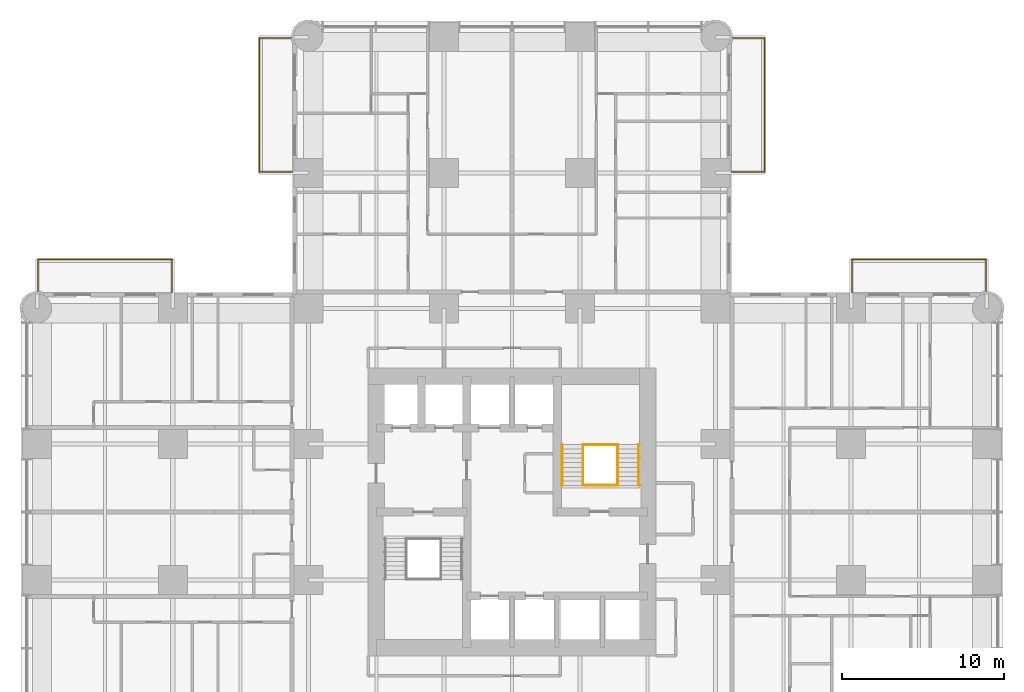
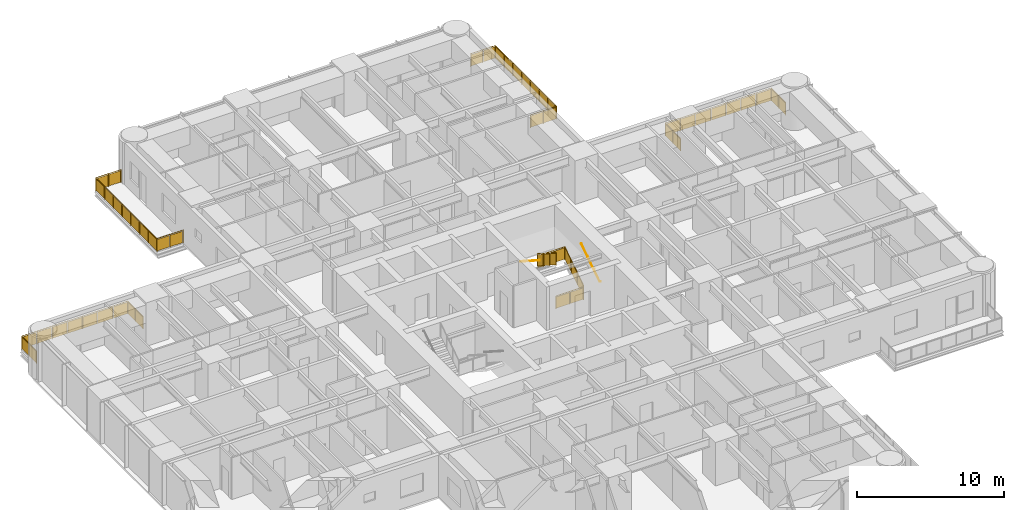
# One storey, part 17 of 17: 10 railings.
"""IFC4 building model written with IfcOpenShell, lengths in metres."""

from ifc_helpers import new_model, si_unit, direction, frame, origin, origin_2d, place, context, subcontext, project, spatial, polyline, circle, outline, extrude, material, constituent, constituent_set, type_object, element, save


model = new_model("IFC4")

# Units and contexts
model_context = context("Model", 3, precision=1e-05, world=origin(), true_north=direction((0.0, 1.0)))
body_context = subcontext(model_context, "Body", "Model", "MODEL_VIEW")
ifc_project = project(units=[si_unit("LENGTHUNIT", "METRE"), si_unit("AREAUNIT", "SQUARE_METRE"), si_unit("VOLUMEUNIT", "CUBIC_METRE"), si_unit("PLANEANGLEUNIT", "RADIAN"), si_unit("MASSUNIT", "GRAM", prefix="KILO")], contexts=[model_context])

# Site, building, storey
site_placement = place(None, origin())
site = spatial("IfcSite", under=ifc_project, at=site_placement, CompositionType="ELEMENT")
building_placement = place(site_placement, origin())
building = spatial("IfcBuilding", under=site, at=building_placement, Name="Torre Alcanfor", CompositionType="ELEMENT")
storey_placement = place(building_placement, frame((0.0, 0.0, 74.10009765625)))
storey = spatial("IfcBuildingStorey", under=building, at=storey_placement, Name="L18", CompositionType="ELEMENT", Elevation=74.10009765625)

# Railings
ifc_material_1 = material(Name="Laminated safety glass", Category="glass")
ifc_constituent_1 = constituent(ifc_material_1, Name="Infill")
ifc_material_2 = material(Name="Stainless steel ASTM A554 Grade MT 316L tube", Category="steel")
ifc_constituent_2 = constituent(ifc_material_2, Name="Posts and rail")
ifc_constituent_set = constituent_set(constituents=[ifc_constituent_1, ifc_constituent_2], Name="Balcony guard glass 1100")
railing_type_1 = type_object("IfcRailingType", Name="Balcony guard glass 1100", PredefinedType="BALUSTRADE", material=ifc_constituent_set)
railing_1_placement = place(storey_placement, frame((15.800048828125, 50.449951171875, 0.0)))
element("IfcRailing", 1, at=railing_1_placement, inside=storey, type_object=railing_type_1, Name="Balcony guard L18-N1", PredefinedType="BALUSTRADE", context=body_context, shape_type="SweptSolid", body=[
    extrude(circle(Radius=0.02392578125, at=origin_2d()), frame((0.0, 0.0, 1.076171875), z_axis=(-1.0, 0.0, 0.0), x_axis=(0.0, -1.0, 0.0)), (0.0, 0.0, 1.0), 2.050048828125),
    extrude(circle(Radius=0.02392578125, at=origin_2d()), frame((-2.050048828125, 0.0, 1.076171875), z_axis=(0.0, 1.0, 0.0), x_axis=(-1.0, 0.0, 0.0)), (0.0, 0.0, 1.0), 8.300048828125),
    extrude(circle(Radius=0.02392578125, at=origin_2d()), frame((-2.050048828125, 8.300048828125, 1.076171875), z_axis=(1.0, 0.0, 0.0), x_axis=(0.0, 1.0, 0.0)), (0.0, 0.0, 1.0), 1.968994140625),
    extrude(circle(Radius=0.02099609375, at=origin_2d()), origin(), (0.0, 0.0, 1.0), 1.052001953125),
    extrude(circle(Radius=0.02099609375, at=origin_2d()), frame((-1.02490234375, 0.0, 0.0)), (0.0, 0.0, 1.0), 1.052001953125),
    extrude(circle(Radius=0.02099609375, at=origin_2d()), frame((-2.050048828125, 0.0, 0.0)), (0.0, 0.0, 1.0), 1.052001953125),
    extrude(circle(Radius=0.02099609375, at=origin_2d()), frame((-2.050048828125, 1.185791015625, 0.0)), (0.0, 0.0, 1.0), 1.052001953125),
    extrude(circle(Radius=0.02099609375, at=origin_2d()), frame((-2.050048828125, 2.371337890625, 0.0)), (0.0, 0.0, 1.0), 1.052001953125),
    extrude(circle(Radius=0.02099609375, at=origin_2d()), frame((-2.050048828125, 3.55712890625, 0.0)), (0.0, 0.0, 1.0), 1.052001953125),
    extrude(circle(Radius=0.02099609375, at=origin_2d()), frame((-2.050048828125, 4.742919921875, 0.0)), (0.0, 0.0, 1.0), 1.052001953125),
    extrude(circle(Radius=0.02099609375, at=origin_2d()), frame((-2.050048828125, 5.9287109375, 0.0)), (0.0, 0.0, 1.0), 1.052001953125),
    extrude(circle(Radius=0.02099609375, at=origin_2d()), frame((-2.050048828125, 7.1142578125, 0.0)), (0.0, 0.0, 1.0), 1.052001953125),
    extrude(circle(Radius=0.02099609375, at=origin_2d()), frame((-2.050048828125, 8.300048828125, 0.0)), (0.0, 0.0, 1.0), 1.052001953125),
    extrude(circle(Radius=0.02099609375, at=origin_2d()), frame((-1.0654296875, 8.300048828125, 0.0)), (0.0, 0.0, 1.0), 1.052001953125),
    extrude(circle(Radius=0.02099609375, at=origin_2d()), frame((-0.0810546875, 8.300048828125, 0.0)), (0.0, 0.0, 1.0), 1.052001953125),
    extrude(outline(polyline([(0.041015625, 0.050048828125), (0.984130859375, 0.050048828125), (0.984130859375, 1.001953125), (0.041015625, 1.001953125), (0.041015625, 0.050048828125)])), frame((0.0, -0.005859375, 0.0), z_axis=(0.0, 1.0, 0.0), x_axis=(-1.0, 0.0, 0.0)), (0.0, 0.0, 1.0), 0.011962890625),
    extrude(outline(polyline([(1.06591796875, 0.050048828125), (2.009033203125, 0.050048828125), (2.009033203125, 1.001953125), (1.06591796875, 1.001953125), (1.06591796875, 0.050048828125)])), frame((0.0, -0.005859375, 0.0), z_axis=(0.0, 1.0, 0.0), x_axis=(-1.0, 0.0, 0.0)), (0.0, 0.0, 1.0), 0.011962890625),
    extrude(outline(polyline([(0.041015625, 0.050048828125), (1.144775390625, 0.050048828125), (1.144775390625, 1.001953125), (0.041015625, 1.001953125), (0.041015625, 0.050048828125)])), frame((-2.05615234375, 0.0, 0.0), z_axis=(1.0, 0.0, 0.0), x_axis=(0.0, 1.0, 0.0)), (0.0, 0.0, 1.0), 0.011962890625),
    extrude(outline(polyline([(1.226806640625, 0.050048828125), (2.330322265625, 0.050048828125), (2.330322265625, 1.001953125), (1.226806640625, 1.001953125), (1.226806640625, 0.050048828125)])), frame((-2.05615234375, 0.0, 0.0), z_axis=(1.0, 0.0, 0.0), x_axis=(0.0, 1.0, 0.0)), (0.0, 0.0, 1.0), 0.011962890625),
    extrude(outline(polyline([(2.412353515625, 0.050048828125), (3.51611328125, 0.050048828125), (3.51611328125, 1.001953125), (2.412353515625, 1.001953125), (2.412353515625, 0.050048828125)])), frame((-2.05615234375, 0.0, 0.0), z_axis=(1.0, 0.0, 0.0), x_axis=(0.0, 1.0, 0.0)), (0.0, 0.0, 1.0), 0.011962890625),
    extrude(outline(polyline([(3.59814453125, 0.050048828125), (4.701904296875, 0.050048828125), (4.701904296875, 1.001953125), (3.59814453125, 1.001953125), (3.59814453125, 0.050048828125)])), frame((-2.05615234375, 0.0, 0.0), z_axis=(1.0, 0.0, 0.0), x_axis=(0.0, 1.0, 0.0)), (0.0, 0.0, 1.0), 0.011962890625),
    extrude(outline(polyline([(4.783935546875, 0.050048828125), (5.8876953125, 0.050048828125), (5.8876953125, 1.001953125), (4.783935546875, 1.001953125), (4.783935546875, 0.050048828125)])), frame((-2.05615234375, 0.0, 0.0), z_axis=(1.0, 0.0, 0.0), x_axis=(0.0, 1.0, 0.0)), (0.0, 0.0, 1.0), 0.011962890625),
    extrude(outline(polyline([(5.9697265625, 0.050048828125), (7.0732421875, 0.050048828125), (7.0732421875, 1.001953125), (5.9697265625, 1.001953125), (5.9697265625, 0.050048828125)])), frame((-2.05615234375, 0.0, 0.0), z_axis=(1.0, 0.0, 0.0), x_axis=(0.0, 1.0, 0.0)), (0.0, 0.0, 1.0), 0.011962890625),
    extrude(outline(polyline([(7.1552734375, 0.050048828125), (8.259033203125, 0.050048828125), (8.259033203125, 1.001953125), (7.1552734375, 1.001953125), (7.1552734375, 0.050048828125)])), frame((-2.05615234375, 0.0, 0.0), z_axis=(1.0, 0.0, 0.0), x_axis=(0.0, 1.0, 0.0)), (0.0, 0.0, 1.0), 0.011962890625),
    extrude(outline(polyline([(0.041015625, 0.050048828125), (0.943603515625, 0.050048828125), (0.943603515625, 1.001953125), (0.041015625, 1.001953125), (0.041015625, 0.050048828125)])), frame((-2.050048828125, 8.30615234375, 0.0), z_axis=(0.0, -1.0, 0.0), x_axis=(1.0, 0.0, 0.0)), (0.0, 0.0, 1.0), 0.011962890625),
    extrude(outline(polyline([(1.025390625, 0.050048828125), (1.927978515625, 0.050048828125), (1.927978515625, 1.001953125), (1.025390625, 1.001953125), (1.025390625, 0.050048828125)])), frame((-2.050048828125, 8.30615234375, 0.0), z_axis=(0.0, -1.0, 0.0), x_axis=(1.0, 0.0, 0.0)), (0.0, 0.0, 1.0), 0.011962890625),
])
railing_2_placement = place(storey_placement, frame((43.0, 50.449951171875, 0.0)))
element("IfcRailing", 2, at=railing_2_placement, inside=storey, type_object=railing_type_1, Name="Balcony guard L18-N2", PredefinedType="BALUSTRADE", context=body_context, shape_type="SweptSolid", body=[
    extrude(circle(Radius=0.02392578125, at=origin_2d()), frame((0.0, 0.0, 1.076171875), z_axis=(1.0, 0.0, 0.0), x_axis=(0.0, 1.0, 0.0)), (0.0, 0.0, 1.0), 2.050048828125),
    extrude(circle(Radius=0.02392578125, at=origin_2d()), frame((2.050048828125, 0.0, 1.076171875), z_axis=(0.0, 1.0, 0.0), x_axis=(-1.0, 0.0, 0.0)), (0.0, 0.0, 1.0), 8.300048828125),
    extrude(circle(Radius=0.02392578125, at=origin_2d()), frame((2.050048828125, 8.300048828125, 1.076171875), z_axis=(-1.0, 0.0, 0.0), x_axis=(0.0, -1.0, 0.0)), (0.0, 0.0, 1.0), 1.968994140625),
    extrude(circle(Radius=0.02099609375, at=origin_2d()), origin(), (0.0, 0.0, 1.0), 1.052001953125),
    extrude(circle(Radius=0.02099609375, at=origin_2d()), frame((1.02490234375, 0.0, 0.0)), (0.0, 0.0, 1.0), 1.052001953125),
    extrude(circle(Radius=0.02099609375, at=origin_2d()), frame((2.050048828125, 0.0, 0.0)), (0.0, 0.0, 1.0), 1.052001953125),
    extrude(circle(Radius=0.02099609375, at=origin_2d()), frame((2.050048828125, 1.185791015625, 0.0)), (0.0, 0.0, 1.0), 1.052001953125),
    extrude(circle(Radius=0.02099609375, at=origin_2d()), frame((2.050048828125, 2.371337890625, 0.0)), (0.0, 0.0, 1.0), 1.052001953125),
    extrude(circle(Radius=0.02099609375, at=origin_2d()), frame((2.050048828125, 3.55712890625, 0.0)), (0.0, 0.0, 1.0), 1.052001953125),
    extrude(circle(Radius=0.02099609375, at=origin_2d()), frame((2.050048828125, 4.742919921875, 0.0)), (0.0, 0.0, 1.0), 1.052001953125),
    extrude(circle(Radius=0.02099609375, at=origin_2d()), frame((2.050048828125, 5.9287109375, 0.0)), (0.0, 0.0, 1.0), 1.052001953125),
    extrude(circle(Radius=0.02099609375, at=origin_2d()), frame((2.050048828125, 7.1142578125, 0.0)), (0.0, 0.0, 1.0), 1.052001953125),
    extrude(circle(Radius=0.02099609375, at=origin_2d()), frame((2.050048828125, 8.300048828125, 0.0)), (0.0, 0.0, 1.0), 1.052001953125),
    extrude(circle(Radius=0.02099609375, at=origin_2d()), frame((1.0654296875, 8.300048828125, 0.0)), (0.0, 0.0, 1.0), 1.052001953125),
    extrude(circle(Radius=0.02099609375, at=origin_2d()), frame((0.0810546875, 8.300048828125, 0.0)), (0.0, 0.0, 1.0), 1.052001953125),
    extrude(outline(polyline([(0.041015625, 0.050048828125), (0.984130859375, 0.050048828125), (0.984130859375, 1.001953125), (0.041015625, 1.001953125), (0.041015625, 0.050048828125)])), frame((0.0, 0.005859375, 0.0), z_axis=(0.0, -1.0, 0.0), x_axis=(1.0, 0.0, 0.0)), (0.0, 0.0, 1.0), 0.011962890625),
    extrude(outline(polyline([(1.06591796875, 0.050048828125), (2.009033203125, 0.050048828125), (2.009033203125, 1.001953125), (1.06591796875, 1.001953125), (1.06591796875, 0.050048828125)])), frame((0.0, 0.005859375, 0.0), z_axis=(0.0, -1.0, 0.0), x_axis=(1.0, 0.0, 0.0)), (0.0, 0.0, 1.0), 0.011962890625),
    extrude(outline(polyline([(0.041015625, 0.050048828125), (1.144775390625, 0.050048828125), (1.144775390625, 1.001953125), (0.041015625, 1.001953125), (0.041015625, 0.050048828125)])), frame((2.0439453125, 0.0, 0.0), z_axis=(1.0, 0.0, 0.0), x_axis=(0.0, 1.0, 0.0)), (0.0, 0.0, 1.0), 0.011962890625),
    extrude(outline(polyline([(1.226806640625, 0.050048828125), (2.330322265625, 0.050048828125), (2.330322265625, 1.001953125), (1.226806640625, 1.001953125), (1.226806640625, 0.050048828125)])), frame((2.0439453125, 0.0, 0.0), z_axis=(1.0, 0.0, 0.0), x_axis=(0.0, 1.0, 0.0)), (0.0, 0.0, 1.0), 0.011962890625),
    extrude(outline(polyline([(2.412353515625, 0.050048828125), (3.51611328125, 0.050048828125), (3.51611328125, 1.001953125), (2.412353515625, 1.001953125), (2.412353515625, 0.050048828125)])), frame((2.0439453125, 0.0, 0.0), z_axis=(1.0, 0.0, 0.0), x_axis=(0.0, 1.0, 0.0)), (0.0, 0.0, 1.0), 0.011962890625),
    extrude(outline(polyline([(3.59814453125, 0.050048828125), (4.701904296875, 0.050048828125), (4.701904296875, 1.001953125), (3.59814453125, 1.001953125), (3.59814453125, 0.050048828125)])), frame((2.0439453125, 0.0, 0.0), z_axis=(1.0, 0.0, 0.0), x_axis=(0.0, 1.0, 0.0)), (0.0, 0.0, 1.0), 0.011962890625),
    extrude(outline(polyline([(4.783935546875, 0.050048828125), (5.8876953125, 0.050048828125), (5.8876953125, 1.001953125), (4.783935546875, 1.001953125), (4.783935546875, 0.050048828125)])), frame((2.0439453125, 0.0, 0.0), z_axis=(1.0, 0.0, 0.0), x_axis=(0.0, 1.0, 0.0)), (0.0, 0.0, 1.0), 0.011962890625),
    extrude(outline(polyline([(5.9697265625, 0.050048828125), (7.0732421875, 0.050048828125), (7.0732421875, 1.001953125), (5.9697265625, 1.001953125), (5.9697265625, 0.050048828125)])), frame((2.0439453125, 0.0, 0.0), z_axis=(1.0, 0.0, 0.0), x_axis=(0.0, 1.0, 0.0)), (0.0, 0.0, 1.0), 0.011962890625),
    extrude(outline(polyline([(7.1552734375, 0.050048828125), (8.259033203125, 0.050048828125), (8.259033203125, 1.001953125), (7.1552734375, 1.001953125), (7.1552734375, 0.050048828125)])), frame((2.0439453125, 0.0, 0.0), z_axis=(1.0, 0.0, 0.0), x_axis=(0.0, 1.0, 0.0)), (0.0, 0.0, 1.0), 0.011962890625),
    extrude(outline(polyline([(0.041015625, 0.050048828125), (0.943603515625, 0.050048828125), (0.943603515625, 1.001953125), (0.041015625, 1.001953125), (0.041015625, 0.050048828125)])), frame((2.050048828125, 8.2939453125, 0.0), z_axis=(0.0, 1.0, 0.0), x_axis=(-1.0, 0.0, 0.0)), (0.0, 0.0, 1.0), 0.011962890625),
    extrude(outline(polyline([(1.025390625, 0.050048828125), (1.927978515625, 0.050048828125), (1.927978515625, 1.001953125), (1.025390625, 1.001953125), (1.025390625, 0.050048828125)])), frame((2.050048828125, 8.2939453125, 0.0), z_axis=(0.0, 1.0, 0.0), x_axis=(-1.0, 0.0, 0.0)), (0.0, 0.0, 1.0), 0.011962890625),
])
railing_3_placement = place(storey_placement, frame((50.449951171875, 43.0, 0.0)))
element("IfcRailing", 3, at=railing_3_placement, inside=storey, type_object=railing_type_1, Name="Balcony guard L18-E1", PredefinedType="BALUSTRADE", context=body_context, shape_type="SweptSolid", body=[
    extrude(circle(Radius=0.02392578125, at=origin_2d()), frame((0.0, 0.0, 1.076171875), z_axis=(0.0, 1.0, 0.0), x_axis=(-1.0, 0.0, 0.0)), (0.0, 0.0, 1.0), 2.050048828125),
    extrude(circle(Radius=0.02392578125, at=origin_2d()), frame((0.0, 2.050048828125, 1.076171875), z_axis=(1.0, 0.0, 0.0), x_axis=(0.0, 1.0, 0.0)), (0.0, 0.0, 1.0), 8.300048828125),
    extrude(circle(Radius=0.02392578125, at=origin_2d()), frame((8.300048828125, 2.050048828125, 1.076171875), z_axis=(0.0, -1.0, 0.0), x_axis=(1.0, 0.0, 0.0)), (0.0, 0.0, 1.0), 1.968994140625),
    extrude(circle(Radius=0.02099609375, at=origin_2d()), origin(), (0.0, 0.0, 1.0), 1.052001953125),
    extrude(circle(Radius=0.02099609375, at=origin_2d()), frame((0.0, 1.02490234375, 0.0)), (0.0, 0.0, 1.0), 1.052001953125),
    extrude(circle(Radius=0.02099609375, at=origin_2d()), frame((0.0, 2.050048828125, 0.0)), (0.0, 0.0, 1.0), 1.052001953125),
    extrude(circle(Radius=0.02099609375, at=origin_2d()), frame((1.185791015625, 2.050048828125, 0.0)), (0.0, 0.0, 1.0), 1.052001953125),
    extrude(circle(Radius=0.02099609375, at=origin_2d()), frame((2.371337890625, 2.050048828125, 0.0)), (0.0, 0.0, 1.0), 1.052001953125),
    extrude(circle(Radius=0.02099609375, at=origin_2d()), frame((3.55712890625, 2.050048828125, 0.0)), (0.0, 0.0, 1.0), 1.052001953125),
    extrude(circle(Radius=0.02099609375, at=origin_2d()), frame((4.742919921875, 2.050048828125, 0.0)), (0.0, 0.0, 1.0), 1.052001953125),
    extrude(circle(Radius=0.02099609375, at=origin_2d()), frame((5.9287109375, 2.050048828125, 0.0)), (0.0, 0.0, 1.0), 1.052001953125),
    extrude(circle(Radius=0.02099609375, at=origin_2d()), frame((7.1142578125, 2.050048828125, 0.0)), (0.0, 0.0, 1.0), 1.052001953125),
    extrude(circle(Radius=0.02099609375, at=origin_2d()), frame((8.300048828125, 2.050048828125, 0.0)), (0.0, 0.0, 1.0), 1.052001953125),
    extrude(circle(Radius=0.02099609375, at=origin_2d()), frame((8.300048828125, 1.0654296875, 0.0)), (0.0, 0.0, 1.0), 1.052001953125),
    extrude(circle(Radius=0.02099609375, at=origin_2d()), frame((8.300048828125, 0.0810546875, 0.0)), (0.0, 0.0, 1.0), 1.052001953125),
    extrude(outline(polyline([(0.041015625, 0.050048828125), (0.984130859375, 0.050048828125), (0.984130859375, 1.001953125), (0.041015625, 1.001953125), (0.041015625, 0.050048828125)])), frame((-0.005859375, 0.0, 0.0), z_axis=(1.0, 0.0, 0.0), x_axis=(0.0, 1.0, 0.0)), (0.0, 0.0, 1.0), 0.011962890625),
    extrude(outline(polyline([(1.06591796875, 0.050048828125), (2.009033203125, 0.050048828125), (2.009033203125, 1.001953125), (1.06591796875, 1.001953125), (1.06591796875, 0.050048828125)])), frame((-0.005859375, 0.0, 0.0), z_axis=(1.0, 0.0, 0.0), x_axis=(0.0, 1.0, 0.0)), (0.0, 0.0, 1.0), 0.011962890625),
    extrude(outline(polyline([(0.041015625, 0.050048828125), (1.144775390625, 0.050048828125), (1.144775390625, 1.001953125), (0.041015625, 1.001953125), (0.041015625, 0.050048828125)])), frame((0.0, 2.05615234375, 0.0), z_axis=(0.0, -1.0, 0.0), x_axis=(1.0, 0.0, 0.0)), (0.0, 0.0, 1.0), 0.011962890625),
    extrude(outline(polyline([(1.226806640625, 0.050048828125), (2.330322265625, 0.050048828125), (2.330322265625, 1.001953125), (1.226806640625, 1.001953125), (1.226806640625, 0.050048828125)])), frame((0.0, 2.05615234375, 0.0), z_axis=(0.0, -1.0, 0.0), x_axis=(1.0, 0.0, 0.0)), (0.0, 0.0, 1.0), 0.011962890625),
    extrude(outline(polyline([(2.412353515625, 0.050048828125), (3.51611328125, 0.050048828125), (3.51611328125, 1.001953125), (2.412353515625, 1.001953125), (2.412353515625, 0.050048828125)])), frame((0.0, 2.05615234375, 0.0), z_axis=(0.0, -1.0, 0.0), x_axis=(1.0, 0.0, 0.0)), (0.0, 0.0, 1.0), 0.011962890625),
    extrude(outline(polyline([(3.59814453125, 0.050048828125), (4.701904296875, 0.050048828125), (4.701904296875, 1.001953125), (3.59814453125, 1.001953125), (3.59814453125, 0.050048828125)])), frame((0.0, 2.05615234375, 0.0), z_axis=(0.0, -1.0, 0.0), x_axis=(1.0, 0.0, 0.0)), (0.0, 0.0, 1.0), 0.011962890625),
    extrude(outline(polyline([(4.783935546875, 0.050048828125), (5.8876953125, 0.050048828125), (5.8876953125, 1.001953125), (4.783935546875, 1.001953125), (4.783935546875, 0.050048828125)])), frame((0.0, 2.05615234375, 0.0), z_axis=(0.0, -1.0, 0.0), x_axis=(1.0, 0.0, 0.0)), (0.0, 0.0, 1.0), 0.011962890625),
    extrude(outline(polyline([(5.9697265625, 0.050048828125), (7.0732421875, 0.050048828125), (7.0732421875, 1.001953125), (5.9697265625, 1.001953125), (5.9697265625, 0.050048828125)])), frame((0.0, 2.05615234375, 0.0), z_axis=(0.0, -1.0, 0.0), x_axis=(1.0, 0.0, 0.0)), (0.0, 0.0, 1.0), 0.011962890625),
    extrude(outline(polyline([(7.1552734375, 0.050048828125), (8.259033203125, 0.050048828125), (8.259033203125, 1.001953125), (7.1552734375, 1.001953125), (7.1552734375, 0.050048828125)])), frame((0.0, 2.05615234375, 0.0), z_axis=(0.0, -1.0, 0.0), x_axis=(1.0, 0.0, 0.0)), (0.0, 0.0, 1.0), 0.011962890625),
    extrude(outline(polyline([(0.041015625, 0.050048828125), (0.943603515625, 0.050048828125), (0.943603515625, 1.001953125), (0.041015625, 1.001953125), (0.041015625, 0.050048828125)])), frame((8.30615234375, 2.050048828125, 0.0), z_axis=(-1.0, 0.0, 0.0), x_axis=(0.0, -1.0, 0.0)), (0.0, 0.0, 1.0), 0.011962890625),
    extrude(outline(polyline([(1.025390625, 0.050048828125), (1.927978515625, 0.050048828125), (1.927978515625, 1.001953125), (1.025390625, 1.001953125), (1.025390625, 0.050048828125)])), frame((8.30615234375, 2.050048828125, 0.0), z_axis=(-1.0, 0.0, 0.0), x_axis=(0.0, -1.0, 0.0)), (0.0, 0.0, 1.0), 0.011962890625),
])
railing_4_placement = place(storey_placement, frame((8.35009765625, 43.0, 0.0)))
element("IfcRailing", 4, at=railing_4_placement, inside=storey, type_object=railing_type_1, Name="Balcony guard L18-W2", PredefinedType="BALUSTRADE", context=body_context, shape_type="SweptSolid", body=[
    extrude(circle(Radius=0.02392578125, at=origin_2d()), frame((0.0, 0.0, 1.076171875), z_axis=(0.0, 1.0, 0.0), x_axis=(-1.0, 0.0, 0.0)), (0.0, 0.0, 1.0), 2.050048828125),
    extrude(circle(Radius=0.02392578125, at=origin_2d()), frame((0.0, 2.050048828125, 1.076171875), z_axis=(-1.0, 0.0, 0.0), x_axis=(0.0, -1.0, 0.0)), (0.0, 0.0, 1.0), 8.300048828125),
    extrude(circle(Radius=0.02392578125, at=origin_2d()), frame((-8.300048828125, 2.050048828125, 1.076171875), z_axis=(0.0, -1.0, 0.0), x_axis=(1.0, 0.0, 0.0)), (0.0, 0.0, 1.0), 1.968994140625),
    extrude(circle(Radius=0.02099609375, at=origin_2d()), origin(), (0.0, 0.0, 1.0), 1.052001953125),
    extrude(circle(Radius=0.02099609375, at=origin_2d()), frame((0.0, 1.02490234375, 0.0)), (0.0, 0.0, 1.0), 1.052001953125),
    extrude(circle(Radius=0.02099609375, at=origin_2d()), frame((0.0, 2.050048828125, 0.0)), (0.0, 0.0, 1.0), 1.052001953125),
    extrude(circle(Radius=0.02099609375, at=origin_2d()), frame((-1.185791015625, 2.050048828125, 0.0)), (0.0, 0.0, 1.0), 1.052001953125),
    extrude(circle(Radius=0.02099609375, at=origin_2d()), frame((-2.371337890625, 2.050048828125, 0.0)), (0.0, 0.0, 1.0), 1.052001953125),
    extrude(circle(Radius=0.02099609375, at=origin_2d()), frame((-3.55712890625, 2.050048828125, 0.0)), (0.0, 0.0, 1.0), 1.052001953125),
    extrude(circle(Radius=0.02099609375, at=origin_2d()), frame((-4.742919921875, 2.050048828125, 0.0)), (0.0, 0.0, 1.0), 1.052001953125),
    extrude(circle(Radius=0.02099609375, at=origin_2d()), frame((-5.9287109375, 2.050048828125, 0.0)), (0.0, 0.0, 1.0), 1.052001953125),
    extrude(circle(Radius=0.02099609375, at=origin_2d()), frame((-7.1142578125, 2.050048828125, 0.0)), (0.0, 0.0, 1.0), 1.052001953125),
    extrude(circle(Radius=0.02099609375, at=origin_2d()), frame((-8.300048828125, 2.050048828125, 0.0)), (0.0, 0.0, 1.0), 1.052001953125),
    extrude(circle(Radius=0.02099609375, at=origin_2d()), frame((-8.300048828125, 1.0654296875, 0.0)), (0.0, 0.0, 1.0), 1.052001953125),
    extrude(circle(Radius=0.02099609375, at=origin_2d()), frame((-8.300048828125, 0.0810546875, 0.0)), (0.0, 0.0, 1.0), 1.052001953125),
    extrude(outline(polyline([(0.041015625, 0.050048828125), (0.984130859375, 0.050048828125), (0.984130859375, 1.001953125), (0.041015625, 1.001953125), (0.041015625, 0.050048828125)])), frame((-0.005859375, 0.0, 0.0), z_axis=(1.0, 0.0, 0.0), x_axis=(0.0, 1.0, 0.0)), (0.0, 0.0, 1.0), 0.011962890625),
    extrude(outline(polyline([(1.06591796875, 0.050048828125), (2.009033203125, 0.050048828125), (2.009033203125, 1.001953125), (1.06591796875, 1.001953125), (1.06591796875, 0.050048828125)])), frame((-0.005859375, 0.0, 0.0), z_axis=(1.0, 0.0, 0.0), x_axis=(0.0, 1.0, 0.0)), (0.0, 0.0, 1.0), 0.011962890625),
    extrude(outline(polyline([(0.041015625, 0.050048828125), (1.144775390625, 0.050048828125), (1.144775390625, 1.001953125), (0.041015625, 1.001953125), (0.041015625, 0.050048828125)])), frame((0.0, 2.0439453125, 0.0), z_axis=(0.0, 1.0, 0.0), x_axis=(-1.0, 0.0, 0.0)), (0.0, 0.0, 1.0), 0.011962890625),
    extrude(outline(polyline([(1.226806640625, 0.050048828125), (2.330322265625, 0.050048828125), (2.330322265625, 1.001953125), (1.226806640625, 1.001953125), (1.226806640625, 0.050048828125)])), frame((0.0, 2.0439453125, 0.0), z_axis=(0.0, 1.0, 0.0), x_axis=(-1.0, 0.0, 0.0)), (0.0, 0.0, 1.0), 0.011962890625),
    extrude(outline(polyline([(2.412353515625, 0.050048828125), (3.51611328125, 0.050048828125), (3.51611328125, 1.001953125), (2.412353515625, 1.001953125), (2.412353515625, 0.050048828125)])), frame((0.0, 2.0439453125, 0.0), z_axis=(0.0, 1.0, 0.0), x_axis=(-1.0, 0.0, 0.0)), (0.0, 0.0, 1.0), 0.011962890625),
    extrude(outline(polyline([(3.59814453125, 0.050048828125), (4.701904296875, 0.050048828125), (4.701904296875, 1.001953125), (3.59814453125, 1.001953125), (3.59814453125, 0.050048828125)])), frame((0.0, 2.0439453125, 0.0), z_axis=(0.0, 1.0, 0.0), x_axis=(-1.0, 0.0, 0.0)), (0.0, 0.0, 1.0), 0.011962890625),
    extrude(outline(polyline([(4.783935546875, 0.050048828125), (5.8876953125, 0.050048828125), (5.8876953125, 1.001953125), (4.783935546875, 1.001953125), (4.783935546875, 0.050048828125)])), frame((0.0, 2.0439453125, 0.0), z_axis=(0.0, 1.0, 0.0), x_axis=(-1.0, 0.0, 0.0)), (0.0, 0.0, 1.0), 0.011962890625),
    extrude(outline(polyline([(5.9697265625, 0.050048828125), (7.0732421875, 0.050048828125), (7.0732421875, 1.001953125), (5.9697265625, 1.001953125), (5.9697265625, 0.050048828125)])), frame((0.0, 2.0439453125, 0.0), z_axis=(0.0, 1.0, 0.0), x_axis=(-1.0, 0.0, 0.0)), (0.0, 0.0, 1.0), 0.011962890625),
    extrude(outline(polyline([(7.1552734375, 0.050048828125), (8.259033203125, 0.050048828125), (8.259033203125, 1.001953125), (7.1552734375, 1.001953125), (7.1552734375, 0.050048828125)])), frame((0.0, 2.0439453125, 0.0), z_axis=(0.0, 1.0, 0.0), x_axis=(-1.0, 0.0, 0.0)), (0.0, 0.0, 1.0), 0.011962890625),
    extrude(outline(polyline([(0.041015625, 0.050048828125), (0.943603515625, 0.050048828125), (0.943603515625, 1.001953125), (0.041015625, 1.001953125), (0.041015625, 0.050048828125)])), frame((-8.2939453125, 2.050048828125, 0.0), z_axis=(-1.0, 0.0, 0.0), x_axis=(0.0, -1.0, 0.0)), (0.0, 0.0, 1.0), 0.011962890625),
    extrude(outline(polyline([(1.025390625, 0.050048828125), (1.927978515625, 0.050048828125), (1.927978515625, 1.001953125), (1.025390625, 1.001953125), (1.025390625, 0.050048828125)])), frame((-8.2939453125, 2.050048828125, 0.0), z_axis=(-1.0, 0.0, 0.0), x_axis=(0.0, -1.0, 0.0)), (0.0, 0.0, 1.0), 0.011962890625),
])
ifc_material_3 = material(Name="Steel ASTM A500 Grade C hollow sections", Category="steel")
railing_type_2 = type_object("IfcRailingType", Name="Stair guard and handrail 1100", PredefinedType="GUARDRAIL", material=ifc_material_3)
railing_5_placement = place(storey_placement, frame((35.949951171875, 31.050048828125, 0.179931640625)))
element("IfcRailing", 5, at=railing_5_placement, inside=storey, type_object=railing_type_2, Name="Stair guard S2 L18 flight 1", PredefinedType="GUARDRAIL", context=body_context, shape_type="SweptSolid", body=[
    extrude(circle(Radius=0.02392578125, at=origin_2d()), frame((0.0, 0.0, 1.076171875), z_axis=(0.0, 0.841199657755, 0.540724639528), x_axis=(-1.0, 0.0, 0.0)), (0.0, 0.0, 1.0), 2.995849609375),
    extrude(circle(Radius=0.02099609375, at=origin_2d()), origin(), (0.0, 0.0, 1.0), 1.052001953125),
    extrude(circle(Radius=0.02099609375, at=origin_2d()), frame((0.0, 0.840087890625, 0.5400390625)), (0.0, 0.0, 1.0), 1.052001953125),
    extrude(circle(Radius=0.02099609375, at=origin_2d()), frame((0.0, 1.679931640625, 1.079833984375)), (0.0, 0.0, 1.0), 1.052001953125),
    extrude(circle(Radius=0.02099609375, at=origin_2d()), frame((0.0, 2.52001953125, 1.619873046875)), (0.0, 0.0, 1.0), 1.052001953125),
    extrude(outline(polyline([(0.041015625, 0.076416015625), (0.799072265625, 0.563720703125), (0.799072265625, 1.515625), (0.041015625, 1.0283203125), (0.041015625, 0.076416015625)])), frame((-0.005859375, 0.0, 0.0), z_axis=(1.0, 0.0, 0.0), x_axis=(0.0, 1.0, 0.0)), (0.0, 0.0, 1.0), 0.011962890625),
    extrude(outline(polyline([(0.881103515625, 0.6162109375), (1.638916015625, 1.103515625), (1.638916015625, 2.0556640625), (0.881103515625, 1.568359375), (0.881103515625, 0.6162109375)])), frame((-0.005859375, 0.0, 0.0), z_axis=(1.0, 0.0, 0.0), x_axis=(0.0, 1.0, 0.0)), (0.0, 0.0, 1.0), 0.011962890625),
    extrude(outline(polyline([(1.720947265625, 1.15625), (2.47900390625, 1.6435546875), (2.47900390625, 2.595458984375), (1.720947265625, 2.108154296875), (1.720947265625, 1.15625)])), frame((-0.005859375, 0.0, 0.0), z_axis=(1.0, 0.0, 0.0), x_axis=(0.0, 1.0, 0.0)), (0.0, 0.0, 1.0), 0.011962890625),
])
railing_6_placement = place(storey_placement, frame((33.800048828125, 33.570068359375, 1.97998046875)))
element("IfcRailing", 6, at=railing_6_placement, inside=storey, type_object=railing_type_2, Name="Stair guard S2 L18 flight 2", PredefinedType="GUARDRAIL", context=body_context, shape_type="SweptSolid", body=[
    extrude(circle(Radius=0.02392578125, at=origin_2d()), frame((0.0, 0.0, 1.076171875), z_axis=(0.0, -0.841199657755, 0.540724639528), x_axis=(1.0, 0.0, 0.0)), (0.0, 0.0, 1.0), 2.995849609375),
    extrude(circle(Radius=0.02099609375, at=origin_2d()), origin(), (0.0, 0.0, 1.0), 1.052001953125),
    extrude(circle(Radius=0.02099609375, at=origin_2d()), frame((0.0, -0.840087890625, 0.5400390625)), (0.0, 0.0, 1.0), 1.052001953125),
    extrude(circle(Radius=0.02099609375, at=origin_2d()), frame((0.0, -1.679931640625, 1.079833984375)), (0.0, 0.0, 1.0), 1.052001953125),
    extrude(circle(Radius=0.02099609375, at=origin_2d()), frame((0.0, -2.52001953125, 1.619873046875)), (0.0, 0.0, 1.0), 1.052001953125),
    extrude(outline(polyline([(0.041015625, 0.076416015625), (0.799072265625, 0.563720703125), (0.799072265625, 1.515625), (0.041015625, 1.0283203125), (0.041015625, 0.076416015625)])), frame((0.005859375, 0.0, 0.0), z_axis=(-1.0, 0.0, 0.0), x_axis=(0.0, -1.0, 0.0)), (0.0, 0.0, 1.0), 0.011962890625),
    extrude(outline(polyline([(0.881103515625, 0.6162109375), (1.638916015625, 1.103515625), (1.638916015625, 2.0556640625), (0.881103515625, 1.568359375), (0.881103515625, 0.6162109375)])), frame((0.005859375, 0.0, 0.0), z_axis=(-1.0, 0.0, 0.0), x_axis=(0.0, -1.0, 0.0)), (0.0, 0.0, 1.0), 0.011962890625),
    extrude(outline(polyline([(1.720947265625, 1.15625), (2.47900390625, 1.6435546875), (2.47900390625, 2.595458984375), (1.720947265625, 2.108154296875), (1.720947265625, 1.15625)])), frame((0.005859375, 0.0, 0.0), z_axis=(-1.0, 0.0, 0.0), x_axis=(0.0, -1.0, 0.0)), (0.0, 0.0, 1.0), 0.011962890625),
])
for number, where, name in (
    (7, (33.800048828125, 31.050048828125, 0.0), "Stair well guard S2 L18 floor landing"),
    (8, (33.800048828125, 33.570068359375, 1.7998046875), "Stair well guard S2 L18 half landing"),
):
    element("IfcRailing", number, at=place(storey_placement, frame(where)), inside=storey, type_object=railing_type_2, Name=name, PredefinedType="GUARDRAIL", context=body_context, shape_type="SweptSolid", body=[
        extrude(circle(Radius=0.02392578125, at=origin_2d()), frame((0.0, 0.0, 1.076171875), z_axis=(1.0, 0.0, 0.0), x_axis=(0.0, 1.0, 0.0)), (0.0, 0.0, 1.0), 2.14990234375),
        extrude(circle(Radius=0.02099609375, at=origin_2d()), origin(), (0.0, 0.0, 1.0), 1.052001953125),
        extrude(circle(Radius=0.02099609375, at=origin_2d()), frame((1.074951171875, 0.0, 0.0)), (0.0, 0.0, 1.0), 1.052001953125),
        extrude(circle(Radius=0.02099609375, at=origin_2d()), frame((2.14990234375, 0.0, 0.0)), (0.0, 0.0, 1.0), 1.052001953125),
        extrude(outline(polyline([(0.041015625, 0.050048828125), (1.033935546875, 0.050048828125), (1.033935546875, 1.001953125), (0.041015625, 1.001953125), (0.041015625, 0.050048828125)])), frame((0.0, 0.005859375, 0.0), z_axis=(0.0, -1.0, 0.0), x_axis=(1.0, 0.0, 0.0)), (0.0, 0.0, 1.0), 0.011962890625),
        extrude(outline(polyline([(1.115966796875, 0.050048828125), (2.10888671875, 0.050048828125), (2.10888671875, 1.001953125), (1.115966796875, 1.001953125), (1.115966796875, 0.050048828125)])), frame((0.0, 0.005859375, 0.0), z_axis=(0.0, -1.0, 0.0), x_axis=(1.0, 0.0, 0.0)), (0.0, 0.0, 1.0), 0.011962890625),
    ])
ifc_material_4 = material(Name="Steel ASTM A500 Grade C hollow sections", Category="steel")
railing_type_3 = type_object("IfcRailingType", Name="Stair wall handrail 900", PredefinedType="HANDRAIL", material=ifc_material_4)
railing_7_placement = place(storey_placement, frame((37.235107421875, 31.050048828125, 0.179931640625)))
element("IfcRailing", 9, at=railing_7_placement, inside=storey, type_object=railing_type_3, Name="Stair handrail S2 L18 flight 1", PredefinedType="HANDRAIL", context=body_context, shape_type="SweptSolid", body=[
    extrude(circle(Radius=0.02392578125, at=origin_2d()), frame((0.0, 0.0, 0.8759765625), z_axis=(0.0, 0.841199657755, 0.540724639528), x_axis=(-1.0, 0.0, 0.0)), (0.0, 0.0, 1.0), 2.995849609375),
    extrude(circle(Radius=0.008056640625, at=origin_2d()), frame((0.0, 0.0, 0.8759765625), z_axis=(1.0, 0.0, 0.0), x_axis=(0.0, 0.0, 1.0)), (0.0, 0.0, 1.0), 0.06494140625),
    extrude(circle(Radius=0.008056640625, at=origin_2d()), frame((0.0, 0.840087890625, 1.415771484375), z_axis=(1.0, 0.0, 0.0), x_axis=(0.0, 0.0, 1.0)), (0.0, 0.0, 1.0), 0.06494140625),
    extrude(circle(Radius=0.008056640625, at=origin_2d()), frame((0.0, 1.679931640625, 1.955810546875), z_axis=(1.0, 0.0, 0.0), x_axis=(0.0, 0.0, 1.0)), (0.0, 0.0, 1.0), 0.06494140625),
    extrude(circle(Radius=0.008056640625, at=origin_2d()), frame((0.0, 2.52001953125, 2.49560546875), z_axis=(1.0, 0.0, 0.0), x_axis=(0.0, 0.0, 1.0)), (0.0, 0.0, 1.0), 0.06494140625),
])
railing_8_placement = place(storey_placement, frame((32.514892578125, 33.570068359375, 1.97998046875)))
element("IfcRailing", 10, at=railing_8_placement, inside=storey, type_object=railing_type_3, Name="Stair handrail S2 L18 flight 2", PredefinedType="HANDRAIL", context=body_context, shape_type="SweptSolid", body=[
    extrude(circle(Radius=0.02392578125, at=origin_2d()), frame((0.0, 0.0, 0.8759765625), z_axis=(0.0, -0.841199657755, 0.540724639528), x_axis=(1.0, 0.0, 0.0)), (0.0, 0.0, 1.0), 2.995849609375),
    extrude(circle(Radius=0.008056640625, at=origin_2d()), frame((0.0, 0.0, 0.8759765625), z_axis=(-1.0, 0.0, 0.0), x_axis=(0.0, 0.0, 1.0)), (0.0, 0.0, 1.0), 0.06494140625),
    extrude(circle(Radius=0.008056640625, at=origin_2d()), frame((0.0, -0.840087890625, 1.415771484375), z_axis=(-1.0, 0.0, 0.0), x_axis=(0.0, 0.0, 1.0)), (0.0, 0.0, 1.0), 0.06494140625),
    extrude(circle(Radius=0.008056640625, at=origin_2d()), frame((0.0, -1.679931640625, 1.955810546875), z_axis=(-1.0, 0.0, 0.0), x_axis=(0.0, 0.0, 1.0)), (0.0, 0.0, 1.0), 0.06494140625),
    extrude(circle(Radius=0.008056640625, at=origin_2d()), frame((0.0, -2.52001953125, 2.49560546875), z_axis=(-1.0, 0.0, 0.0), x_axis=(0.0, 0.0, 1.0)), (0.0, 0.0, 1.0), 0.06494140625),
])

save(model, "model.ifc")
